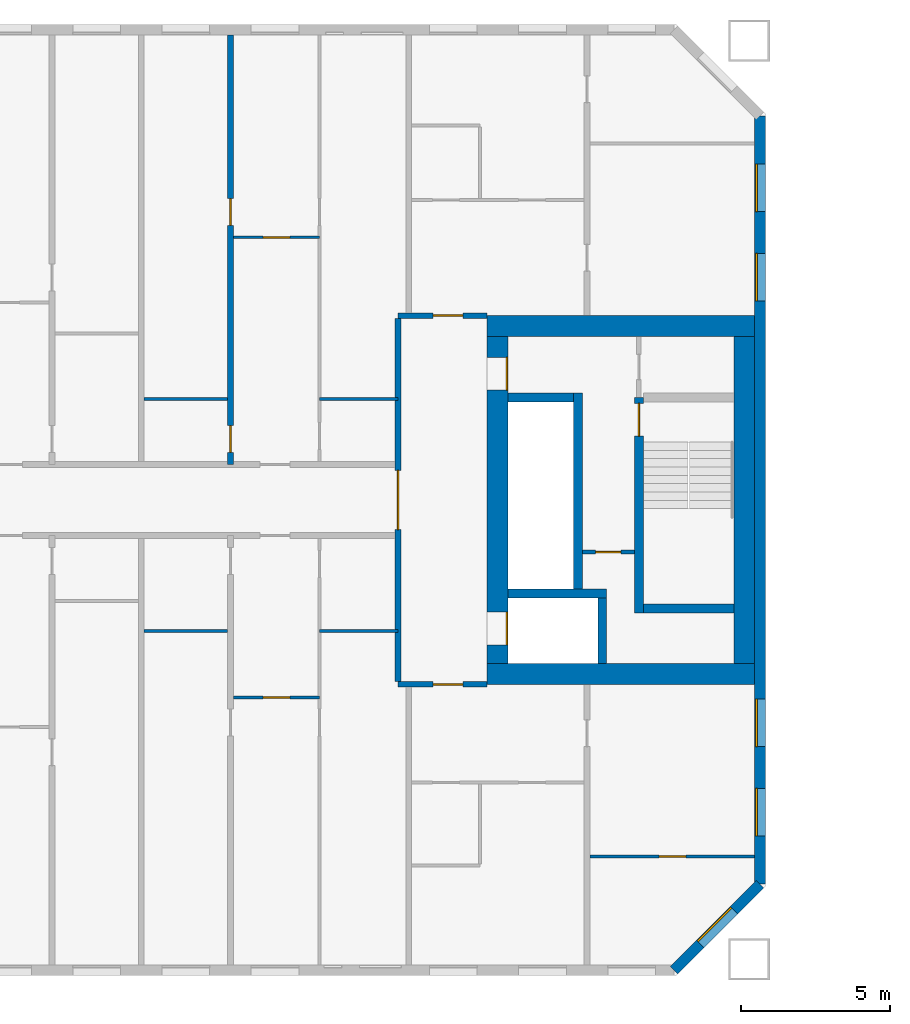
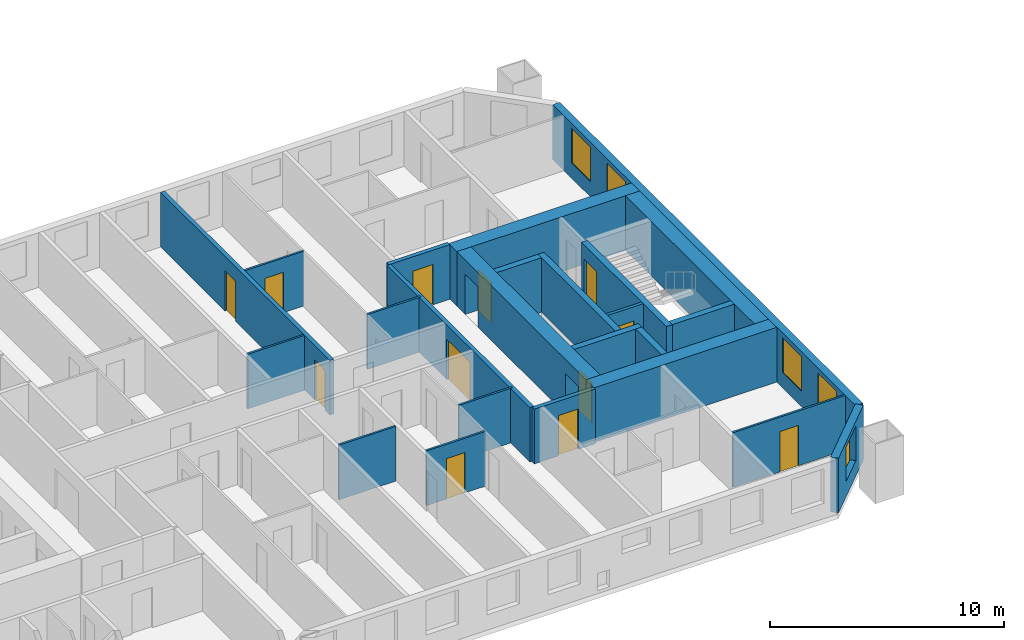
# One storey, part 7 of 17: 24 walls, 12 doors, 5 windows, 17 openings.
"""IFC4 building model written with IfcOpenShell, lengths in metres."""

from ifc_helpers import new_model, si_unit, direction, frame, frame_2d, origin, place, context, subcontext, project, spatial, rectangle, extrude, material, layer, layer_set, type_object, element, fill, save


model = new_model("IFC4")

# Units and contexts
model_context = context("Model", 3, precision=1e-05, world=origin(), true_north=direction((0.0, 1.0)))
body_context = subcontext(model_context, "Body", "Model", "MODEL_VIEW")
ifc_project = project(units=[si_unit("LENGTHUNIT", "METRE"), si_unit("AREAUNIT", "SQUARE_METRE"), si_unit("VOLUMEUNIT", "CUBIC_METRE"), si_unit("PLANEANGLEUNIT", "RADIAN"), si_unit("MASSUNIT", "GRAM", prefix="KILO")], contexts=[model_context])

# Site, building, storey
site_placement = place(None, origin())
site = spatial("IfcSite", under=ifc_project, at=site_placement, CompositionType="ELEMENT")
building_placement = place(site_placement, origin())
building = spatial("IfcBuilding", under=site, at=building_placement, Name="Tuart Gate Housing", CompositionType="ELEMENT")
storey_placement = place(building_placement, frame((0.0, 0.0, 77.800048828125)))
storey = spatial("IfcBuildingStorey", under=building, at=storey_placement, Name="L21", CompositionType="ELEMENT", Elevation=77.800048828125)

# Wall, opening, window
ifc_material_1 = material(Name="Brick", Category="masonry")
ifc_layer_1 = layer(ifc_material_1, 0.360107421875)
ifc_layer_set_1 = layer_set([ifc_layer_1], Name="Brick pier and spandrel wall 360")
wall_type_1 = type_object("IfcWallType", Name="Brick pier and spandrel wall 360", PredefinedType="STANDARD", material=ifc_layer_set_1)
wall_1_placement = place(storey_placement, frame((72.92529296875, 54.179931640625, 0.0), z_axis=(0.0, 0.0, 1.0), x_axis=(0.707106781187, 0.707106781187, 0.0)))
wall_1 = element("IfcWall", 1, at=wall_1_placement, inside=storey, type_object=wall_type_1, Name="External wall A-SE L21", PredefinedType="STANDARD", context=body_context, shape_type="SweptSolid", body=[
    extrude(rectangle(XDim=4.09375, YDim=0.360107421875, at=frame_2d((2.046875, 0.0))), origin(), (0.0, 0.0, 1.0), 2.849853515625),
])
opening_1_placement = place(wall_1_placement, frame((1.2470703125, 0.0, 0.800048828125)))
opening_1 = element("IfcOpeningElement", 2, at=opening_1_placement, cuts=wall_1, Name="Opening W1", PredefinedType="OPENING", context=body_context, shape_type="SweptSolid", body=[
    extrude(rectangle(XDim=1.60009765625, YDim=1.800048828125, at=frame_2d((0.800048828125, 0.89990234375))), frame((0.0, 0.18994140625, 0.0), z_axis=(0.0, -1.0, 0.0), x_axis=(1.0, 0.0, 0.0)), (0.0, 0.0, 1.0), 0.380126953125),
])
ifc_material_2 = material(Name="Aluminium frame with clear glass", Category="aluminium")
window_type = type_object("IfcWindowType", Name="Punched window 1600 x 1800", PartitioningType="SINGLE_PANEL", PredefinedType="WINDOW", material=ifc_material_2)
window_1_placement = place(opening_1_placement, origin())
window_1 = element("IfcWindow", 3, at=window_1_placement, inside=storey, type_object=window_type, Name="Window W1", OverallHeight=1.800048828125, OverallWidth=1.60009765625, PartitioningType="SINGLE_PANEL", PredefinedType="WINDOW", context=body_context, shape_type="SweptSolid", body=[
    extrude(rectangle(XDim=1.60009765625, YDim=1.800048828125, at=frame_2d((0.800048828125, 0.89990234375))), frame((0.0, 0.150146484375, 0.0), z_axis=(0.0, -1.0, 0.0), x_axis=(1.0, 0.0, 0.0)), (0.0, 0.0, 1.0), 0.06005859375),
])
fill(opening_1, window_1)

# Wall, openings, windows
wall_2_placement = place(storey_placement, frame((75.820068359375, 57.07470703125, 0.0), z_axis=(0.0, 0.0, 1.0), x_axis=(0.0, 1.0, 0.0)))
wall_2 = element("IfcWall", 4, at=wall_2_placement, inside=storey, type_object=wall_type_1, Name="External wall A-E L21", PredefinedType="STANDARD", context=body_context, shape_type="SweptSolid", body=[
    extrude(rectangle(XDim=25.850830078125, YDim=0.360107421875, at=frame_2d((12.92529296875, 0.0))), origin(), (0.0, 0.0, 1.0), 2.849853515625),
])
opening_2_placement = place(wall_2_placement, frame((1.62548828125, 0.0, 0.800048828125)))
opening_2 = element("IfcOpeningElement", 5, at=opening_2_placement, cuts=wall_2, Name="Opening W1", PredefinedType="OPENING", context=body_context, shape_type="SweptSolid", body=[
    extrude(rectangle(XDim=1.60009765625, YDim=1.800048828125, at=frame_2d((0.800048828125, 0.89990234375))), frame((0.0, 0.18994140625, 0.0), z_axis=(0.0, -1.0, 0.0), x_axis=(1.0, 0.0, 0.0)), (0.0, 0.0, 1.0), 0.380126953125),
])
opening_3_placement = place(wall_2_placement, frame((4.62548828125, 0.0, 0.800048828125)))
opening_3 = element("IfcOpeningElement", 6, at=opening_3_placement, cuts=wall_2, Name="Opening W1", PredefinedType="OPENING", context=body_context, shape_type="SweptSolid", body=[
    extrude(rectangle(XDim=1.60009765625, YDim=1.800048828125, at=frame_2d((0.800048828125, 0.89990234375))), frame((0.0, 0.18994140625, 0.0), z_axis=(0.0, -1.0, 0.0), x_axis=(1.0, 0.0, 0.0)), (0.0, 0.0, 1.0), 0.380126953125),
])
opening_4_placement = place(wall_2_placement, frame((19.62548828125, 0.0, 0.800048828125)))
opening_4 = element("IfcOpeningElement", 7, at=opening_4_placement, cuts=wall_2, Name="Opening W1", PredefinedType="OPENING", context=body_context, shape_type="SweptSolid", body=[
    extrude(rectangle(XDim=1.60009765625, YDim=1.800048828125, at=frame_2d((0.800048828125, 0.89990234375))), frame((0.0, 0.18994140625, 0.0), z_axis=(0.0, -1.0, 0.0), x_axis=(1.0, 0.0, 0.0)), (0.0, 0.0, 1.0), 0.380126953125),
])
opening_5_placement = place(wall_2_placement, frame((22.62548828125, 0.0, 0.800048828125)))
opening_5 = element("IfcOpeningElement", 8, at=opening_5_placement, cuts=wall_2, Name="Opening W1", PredefinedType="OPENING", context=body_context, shape_type="SweptSolid", body=[
    extrude(rectangle(XDim=1.60009765625, YDim=1.800048828125, at=frame_2d((0.800048828125, 0.89990234375))), frame((0.0, 0.18994140625, 0.0), z_axis=(0.0, -1.0, 0.0), x_axis=(1.0, 0.0, 0.0)), (0.0, 0.0, 1.0), 0.380126953125),
])
window_2_placement = place(opening_2_placement, origin())
window_2 = element("IfcWindow", 9, at=window_2_placement, inside=storey, type_object=window_type, Name="Window W1", OverallHeight=1.800048828125, OverallWidth=1.60009765625, PartitioningType="SINGLE_PANEL", PredefinedType="WINDOW", context=body_context, shape_type="SweptSolid", body=[
    extrude(rectangle(XDim=1.60009765625, YDim=1.800048828125, at=frame_2d((0.800048828125, 0.89990234375))), frame((0.0, 0.150146484375, 0.0), z_axis=(0.0, -1.0, 0.0), x_axis=(1.0, 0.0, 0.0)), (0.0, 0.0, 1.0), 0.06005859375),
])
fill(opening_2, window_2)
window_3_placement = place(opening_3_placement, origin())
window_3 = element("IfcWindow", 10, at=window_3_placement, inside=storey, type_object=window_type, Name="Window W1", OverallHeight=1.800048828125, OverallWidth=1.60009765625, PartitioningType="SINGLE_PANEL", PredefinedType="WINDOW", context=body_context, shape_type="SweptSolid", body=[
    extrude(rectangle(XDim=1.60009765625, YDim=1.800048828125, at=frame_2d((0.800048828125, 0.89990234375))), frame((0.0, 0.150146484375, 0.0), z_axis=(0.0, -1.0, 0.0), x_axis=(1.0, 0.0, 0.0)), (0.0, 0.0, 1.0), 0.06005859375),
])
fill(opening_3, window_3)
window_4_placement = place(opening_4_placement, origin())
window_4 = element("IfcWindow", 11, at=window_4_placement, inside=storey, type_object=window_type, Name="Window W1", OverallHeight=1.800048828125, OverallWidth=1.60009765625, PartitioningType="SINGLE_PANEL", PredefinedType="WINDOW", context=body_context, shape_type="SweptSolid", body=[
    extrude(rectangle(XDim=1.60009765625, YDim=1.800048828125, at=frame_2d((0.800048828125, 0.89990234375))), frame((0.0, 0.150146484375, 0.0), z_axis=(0.0, -1.0, 0.0), x_axis=(1.0, 0.0, 0.0)), (0.0, 0.0, 1.0), 0.06005859375),
])
fill(opening_4, window_4)
window_5_placement = place(opening_5_placement, origin())
window_5 = element("IfcWindow", 12, at=window_5_placement, inside=storey, type_object=window_type, Name="Window W1", OverallHeight=1.800048828125, OverallWidth=1.60009765625, PartitioningType="SINGLE_PANEL", PredefinedType="WINDOW", context=body_context, shape_type="SweptSolid", body=[
    extrude(rectangle(XDim=1.60009765625, YDim=1.800048828125, at=frame_2d((0.800048828125, 0.89990234375))), frame((0.0, 0.150146484375, 0.0), z_axis=(0.0, -1.0, 0.0), x_axis=(1.0, 0.0, 0.0)), (0.0, 0.0, 1.0), 0.06005859375),
])
fill(opening_5, window_5)

# Wall, opening, door
ifc_material_3 = material(Name="Plasterboard partition")
ifc_layer_2 = layer(ifc_material_3, 0.14990234375)
ifc_layer_set_2 = layer_set([ifc_layer_2], Name="Core partition 150")
wall_type_2 = type_object("IfcWallType", Name="Core partition 150", PredefinedType="PARTITIONING", material=ifc_layer_set_2)
wall_3_placement = place(storey_placement, frame((69.840087890625, 68.25, 0.0), z_axis=(0.0, 0.0, 1.0), x_axis=(1.0, 0.0, 0.0)))
wall_3 = element("IfcWall", 13, at=wall_3_placement, inside=storey, type_object=wall_type_2, Name="Core partition AG.3", PredefinedType="PARTITIONING", context=body_context, shape_type="SweptSolid", body=[
    extrude(rectangle(XDim=1.75, YDim=0.14990234375, at=frame_2d((0.875, 0.0))), origin(), (0.0, 0.0, 1.0), 2.849853515625),
])
opening_6_placement = place(wall_3_placement, frame((0.449951171875, 0.0, 0.0)))
opening_6 = element("IfcOpeningElement", 14, at=opening_6_placement, cuts=wall_3, Name="Opening D870", PredefinedType="OPENING", context=body_context, shape_type="SweptSolid", body=[
    extrude(rectangle(XDim=0.85009765625, YDim=2.10009765625, at=frame_2d((0.425048828125, 1.050048828125))), frame((0.0, 0.0849609375, 0.0), z_axis=(0.0, -1.0, 0.0), x_axis=(1.0, 0.0, 0.0)), (0.0, 0.0, 1.0), 0.169921875),
])
ifc_material_4 = material(Name="Steel fire door", Category="steel")
door_type_1 = type_object("IfcDoorType", Name="Riser door 850 x 2100 RH", OperationType="SINGLE_SWING_RIGHT", PredefinedType="DOOR", material=ifc_material_4)
door_1_placement = place(opening_6_placement, frame((0.85009765625, 0.0, 0.0), z_axis=(0.0, 0.0, 1.0), x_axis=(-1.0, 0.0, 0.0)))
door_1 = element("IfcDoor", 15, at=door_1_placement, inside=storey, type_object=door_type_1, Name="Service room door AG.E1", OperationType="SINGLE_SWING_RIGHT", OverallHeight=2.10009765625, OverallWidth=0.85009765625, PredefinedType="DOOR", context=body_context, shape_type="SweptSolid", body=[
    extrude(rectangle(XDim=0.85009765625, YDim=2.10009765625, at=frame_2d((0.425048828125, 1.050048828125))), frame((0.0, 0.025146484375, 0.0), z_axis=(0.0, -1.0, 0.0), x_axis=(1.0, 0.0, 0.0)), (0.0, 0.0, 1.0), 0.050048828125),
])
fill(opening_6, door_1)

# Walls
ifc_material_5 = material(Name="Concrete C50", Category="concrete")
ifc_layer_3 = layer(ifc_material_5, 0.300048828125)
ifc_layer_set_3 = layer_set([ifc_layer_3], Name="Core wall 300 C50")
wall_type_3 = type_object("IfcWallType", Name="Core wall 300 C50", PredefinedType="SHEAR", material=ifc_layer_set_3)
wall_4_placement = place(storey_placement, frame((71.889892578125, 66.35009765625, 0.0), z_axis=(0.0, 0.0, 1.0), x_axis=(1.0, 0.0, 0.0)))
element("IfcWall", 16, at=wall_4_placement, inside=storey, type_object=wall_type_3, Name="Core wall AG.1", PredefinedType="SHEAR", context=body_context, shape_type="SweptSolid", body=[
    extrude(rectangle(XDim=3.050048828125, YDim=0.300048828125, at=frame_2d((1.52490234375, 0.0))), origin(), (0.0, 0.0, 1.0), 2.849853515625),
])
wall_5_placement = place(storey_placement, frame((67.340087890625, 66.85009765625, 0.0), z_axis=(0.0, 0.0, 1.0), x_axis=(1.0, 0.0, 0.0)))
element("IfcWall", 17, at=wall_5_placement, inside=storey, type_object=wall_type_3, Name="Core wall AG.2", PredefinedType="SHEAR", context=body_context, shape_type="SweptSolid", body=[
    extrude(rectangle(XDim=3.31982421875, YDim=0.300048828125, at=frame_2d((1.659912109375, 0.0))), origin(), (0.0, 0.0, 1.0), 2.849853515625),
])
wall_6_placement = place(storey_placement, frame((67.340087890625, 73.449951171875, 0.0), z_axis=(0.0, 0.0, 1.0), x_axis=(1.0, 0.0, 0.0)))
element("IfcWall", 18, at=wall_6_placement, inside=storey, type_object=wall_type_3, Name="Core wall AG.4", PredefinedType="SHEAR", context=body_context, shape_type="SweptSolid", body=[
    extrude(rectangle(XDim=2.199951171875, YDim=0.300048828125, at=frame_2d((1.10009765625, 0.0))), origin(), (0.0, 0.0, 1.0), 2.849853515625),
])
wall_7_placement = place(storey_placement, frame((69.68994140625, 67.0, 0.0), z_axis=(0.0, 0.0, 1.0), x_axis=(0.0, 1.0, 0.0)))
element("IfcWall", 19, at=wall_7_placement, inside=storey, type_object=wall_type_3, Name="Core wall AG.6", PredefinedType="SHEAR", context=body_context, shape_type="SweptSolid", body=[
    extrude(rectangle(XDim=6.60009765625, YDim=0.300048828125, at=frame_2d((3.300048828125, 0.0))), origin(), (0.0, 0.0, 1.0), 2.849853515625),
])
wall_8_placement = place(storey_placement, frame((70.510009765625, 64.5, 0.0), z_axis=(0.0, 0.0, 1.0), x_axis=(0.0, 1.0, 0.0)))
element("IfcWall", 20, at=wall_8_placement, inside=storey, type_object=wall_type_3, Name="Core wall AG.7", PredefinedType="SHEAR", context=body_context, shape_type="SweptSolid", body=[
    extrude(rectangle(XDim=2.199951171875, YDim=0.300048828125, at=frame_2d((1.10009765625, 0.0))), origin(), (0.0, 0.0, 1.0), 2.849853515625),
])

# Wall, opening, door
wall_9_placement = place(storey_placement, frame((71.739990234375, 66.199951171875, 0.0), z_axis=(0.0, 0.0, 1.0), x_axis=(0.0, 1.0, 0.0)))
wall_9 = element("IfcWall", 21, at=wall_9_placement, inside=storey, type_object=wall_type_3, Name="Core wall AG.8", PredefinedType="SHEAR", context=body_context, shape_type="SweptSolid", body=[
    extrude(rectangle(XDim=7.25, YDim=0.300048828125, at=frame_2d((3.625, 0.0))), origin(), (0.0, 0.0, 1.0), 2.849853515625),
])
opening_7_placement = place(wall_9_placement, frame((5.949951171875, 0.0, 0.0)))
opening_7 = element("IfcOpeningElement", 22, at=opening_7_placement, cuts=wall_9, Name="Opening D867", PredefinedType="OPENING", context=body_context, shape_type="SweptSolid", body=[
    extrude(rectangle(XDim=1.10009765625, YDim=2.10009765625, at=frame_2d((0.550048828125, 1.050048828125))), frame((0.0, 0.159912109375, 0.0), z_axis=(0.0, -1.0, 0.0), x_axis=(1.0, 0.0, 0.0)), (0.0, 0.0, 1.0), 0.320068359375),
])
ifc_material_6 = material(Name="Steel fire door", Category="steel")
door_type_2 = type_object("IfcDoorType", Name="Stair door 1100 x 2100", OperationType="SINGLE_SWING_LEFT", PredefinedType="DOOR", material=ifc_material_6)
door_2_placement = place(opening_7_placement, frame((1.10009765625, 0.0, 0.0), z_axis=(0.0, 0.0, 1.0), x_axis=(-1.0, 0.0, 0.0)))
door_2 = element("IfcDoor", 23, at=door_2_placement, inside=storey, type_object=door_type_2, Name="Stair door AG.SD", OperationType="SINGLE_SWING_LEFT", OverallHeight=2.10009765625, OverallWidth=1.10009765625, PredefinedType="DOOR", context=body_context, shape_type="SweptSolid", body=[
    extrude(rectangle(XDim=1.10009765625, YDim=2.10009765625, at=frame_2d((0.550048828125, 1.050048828125))), frame((0.0, 0.025146484375, 0.0), z_axis=(0.0, -1.0, 0.0), x_axis=(1.0, 0.0, 0.0)), (0.0, 0.0, 1.0), 0.050048828125),
])
fill(opening_7, door_2)

# Wall, openings, doors
ifc_material_7 = material(Name="Concrete C50", Category="concrete")
ifc_layer_4 = layer(ifc_material_7, 0.699951171875)
ifc_layer_set_4 = layer_set([ifc_layer_4], Name="Core wall 700 C50")
wall_type_4 = type_object("IfcWallType", Name="Core wall 700 C50", PredefinedType="SHEAR", material=ifc_layer_set_4)
wall_10_placement = place(storey_placement, frame((66.989990234375, 64.5, 0.0), z_axis=(0.0, 0.0, 1.0), x_axis=(0.0, 1.0, 0.0)))
wall_10 = element("IfcWall", 24, at=wall_10_placement, inside=storey, type_object=wall_type_4, Name="Core wall AG front", PredefinedType="SHEAR", context=body_context, shape_type="SweptSolid", body=[
    extrude(rectangle(XDim=11.0, YDim=0.699951171875, at=frame_2d((5.5, 0.0))), origin(), (0.0, 0.0, 1.0), 2.849853515625),
])
opening_8_placement = place(wall_10_placement, frame((0.625, 0.0, 0.0)))
opening_8 = element("IfcOpeningElement", 25, at=opening_8_placement, cuts=wall_10, Name="Opening LD-FA1", PredefinedType="OPENING", context=body_context, shape_type="SweptSolid", body=[
    extrude(rectangle(XDim=1.10009765625, YDim=2.10009765625, at=frame_2d((0.550048828125, 1.050048828125))), frame((0.0, 0.35986328125, 0.0), z_axis=(0.0, -1.0, 0.0), x_axis=(1.0, 0.0, 0.0)), (0.0, 0.0, 1.0), 0.719970703125),
])
opening_9_placement = place(wall_10_placement, frame((9.199951171875, 0.0, 0.0)))
opening_9 = element("IfcOpeningElement", 26, at=opening_9_placement, cuts=wall_10, Name="Opening D866", PredefinedType="OPENING", context=body_context, shape_type="SweptSolid", body=[
    extrude(rectangle(XDim=1.10009765625, YDim=2.10009765625, at=frame_2d((0.550048828125, 1.050048828125))), frame((0.0, 0.35986328125, 0.0), z_axis=(0.0, -1.0, 0.0), x_axis=(1.0, 0.0, 0.0)), (0.0, 0.0, 1.0), 0.719970703125),
])
ifc_material_8 = material(Name="Stainless steel", Category="steel")
door_type_3 = type_object("IfcDoorType", Name="Landing door 1100 x 2100", OperationType="DOUBLE_DOOR_SLIDING", PredefinedType="DOOR", material=ifc_material_8)
door_3_placement = place(opening_8_placement, origin())
door_3 = element("IfcDoor", 27, at=door_3_placement, inside=storey, type_object=door_type_3, Name="Lift landing door FA1", OperationType="DOUBLE_DOOR_SLIDING", OverallHeight=2.10009765625, OverallWidth=1.10009765625, PredefinedType="DOOR", context=body_context, shape_type="SweptSolid", body=[
    extrude(rectangle(XDim=1.10009765625, YDim=2.10009765625, at=frame_2d((0.550048828125, 1.050048828125))), frame((0.0, -0.28515625, 0.0), z_axis=(0.0, -1.0, 0.0), x_axis=(1.0, 0.0, 0.0)), (0.0, 0.0, 1.0), 0.050048828125),
])
fill(opening_8, door_3)
ifc_material_9 = material(Name="Steel fire door", Category="steel")
door_type_4 = type_object("IfcDoorType", Name="Lobby door 1100 x 2100 RH", OperationType="SINGLE_SWING_RIGHT", PredefinedType="DOOR", material=ifc_material_9)
door_4_placement = place(opening_9_placement, frame((1.10009765625, 0.0, 0.0), z_axis=(0.0, 0.0, 1.0), x_axis=(-1.0, 0.0, 0.0)))
door_4 = element("IfcDoor", 28, at=door_4_placement, inside=storey, type_object=door_type_4, Name="Lobby entry door AG.EN", OperationType="SINGLE_SWING_RIGHT", OverallHeight=2.10009765625, OverallWidth=1.10009765625, PredefinedType="DOOR", context=body_context, shape_type="SweptSolid", body=[
    extrude(rectangle(XDim=1.10009765625, YDim=2.10009765625, at=frame_2d((0.550048828125, 1.050048828125))), frame((0.0, 0.335205078125, 0.0), z_axis=(0.0, -1.0, 0.0), x_axis=(1.0, 0.0, 0.0)), (0.0, 0.0, 1.0), 0.050048828125),
])
fill(opening_9, door_4)

# Walls
wall_11_placement = place(storey_placement, frame((75.2900390625, 64.5, 0.0), z_axis=(0.0, 0.0, 1.0), x_axis=(0.0, 1.0, 0.0)))
element("IfcWall", 29, at=wall_11_placement, inside=storey, type_object=wall_type_4, Name="Core wall AG back", PredefinedType="SHEAR", context=body_context, shape_type="SweptSolid", body=[
    extrude(rectangle(XDim=11.0, YDim=0.699951171875, at=frame_2d((5.5, 0.0))), origin(), (0.0, 0.0, 1.0), 2.849853515625),
])
for number, where, z_axis, x_axis, name in (
    (30, (66.639892578125, 64.14990234375, 0.0), (0.0, 0.0, 1.0), (1.0, 0.0, 0.0), "Core wall AG south"),
    (31, (66.639892578125, 75.85009765625, 0.0), (0.0, 0.0, 1.0), (1.0, 0.0, 0.0), "Core wall AG north"),
):
    element("IfcWall", number, at=place(storey_placement, frame(where, z_axis=z_axis, x_axis=x_axis)), inside=storey, type_object=wall_type_4, Name=name, PredefinedType="SHEAR", context=body_context, shape_type="SweptSolid", body=[
        extrude(rectangle(XDim=9.0, YDim=0.699951171875, at=frame_2d((4.5, 0.0))), origin(), (0.0, 0.0, 1.0), 2.849853515625),
    ])

# Wall, opening, door
ifc_material_10 = material(Name="Concrete masonry 15 MPa", Category="masonry")
ifc_layer_5 = layer(ifc_material_10, 0.199951171875)
ifc_layer_set_5 = layer_set([ifc_layer_5], Name="Enclosure wall masonry 200")
wall_type_5 = type_object("IfcWallType", Name="Enclosure wall masonry 200", PredefinedType="PARTITIONING", material=ifc_layer_set_5)
wall_12_placement = place(storey_placement, frame((63.639892578125, 63.800048828125, 0.0), z_axis=(0.0, 0.0, 1.0), x_axis=(1.0, 0.0, 0.0)))
wall_12 = element("IfcWall", 32, at=wall_12_placement, inside=storey, type_object=wall_type_5, Name="Enclosure wall masonry 200", PredefinedType="PARTITIONING", context=body_context, shape_type="SweptSolid", body=[
    extrude(rectangle(XDim=3.0, YDim=0.199951171875, at=frame_2d((1.5, 0.0))), origin(), (0.0, 0.0, 1.0), 2.849853515625),
])
opening_10_placement = place(wall_12_placement, frame((1.179931640625, 0.0, 0.0)))
opening_10 = element("IfcOpeningElement", 33, at=opening_10_placement, cuts=wall_12, Name="Opening D874", PredefinedType="OPENING", context=body_context, shape_type="SweptSolid", body=[
    extrude(rectangle(XDim=1.0, YDim=2.10009765625, at=frame_2d((0.5, 1.050048828125))), frame((0.0, 0.10986328125, 0.0), z_axis=(0.0, -1.0, 0.0), x_axis=(1.0, 0.0, 0.0)), (0.0, 0.0, 1.0), 0.219970703125),
])
ifc_material_11 = material(Name="Timber door leaf in steel frame", Category="steel")
door_type_5 = type_object("IfcDoorType", Name="Flat entrance door 1000 RH", OperationType="SINGLE_SWING_RIGHT", PredefinedType="DOOR", material=ifc_material_11)
door_5_placement = place(opening_10_placement, frame((1.0, 0.0, 0.0), z_axis=(0.0, 0.0, 1.0), x_axis=(-1.0, 0.0, 0.0)))
door_5 = element("IfcDoor", 34, at=door_5_placement, inside=storey, type_object=door_type_5, Name="Flat entrance door", OperationType="SINGLE_SWING_RIGHT", OverallHeight=2.10009765625, OverallWidth=1.0, PredefinedType="DOOR", context=body_context, shape_type="SweptSolid", body=[
    extrude(rectangle(XDim=1.0, YDim=2.10009765625, at=frame_2d((0.5, 1.050048828125))), frame((0.0, 0.025146484375, 0.0), z_axis=(0.0, -1.0, 0.0), x_axis=(1.0, 0.0, 0.0)), (0.0, 0.0, 1.0), 0.050048828125),
])
fill(opening_10, door_5)

wall_13_placement = place(storey_placement, frame((63.639892578125, 76.199951171875, 0.0), z_axis=(0.0, 0.0, 1.0), x_axis=(1.0, 0.0, 0.0)))
wall_13 = element("IfcWall", 35, at=wall_13_placement, inside=storey, type_object=wall_type_5, Name="Enclosure wall masonry 200", PredefinedType="PARTITIONING", context=body_context, shape_type="SweptSolid", body=[
    extrude(rectangle(XDim=3.0, YDim=0.199951171875, at=frame_2d((1.5, 0.0))), origin(), (0.0, 0.0, 1.0), 2.849853515625),
])
opening_11_placement = place(wall_13_placement, frame((1.179931640625, 0.0, 0.0)))
opening_11 = element("IfcOpeningElement", 36, at=opening_11_placement, cuts=wall_13, Name="Opening D856", PredefinedType="OPENING", context=body_context, shape_type="SweptSolid", body=[
    extrude(rectangle(XDim=1.0, YDim=2.10009765625, at=frame_2d((0.5, 1.050048828125))), frame((0.0, 0.10986328125, 0.0), z_axis=(0.0, -1.0, 0.0), x_axis=(1.0, 0.0, 0.0)), (0.0, 0.0, 1.0), 0.219970703125),
])
ifc_material_12 = material(Name="Timber door leaf in steel frame", Category="steel")
door_type_6 = type_object("IfcDoorType", Name="Flat entrance door 1000", OperationType="SINGLE_SWING_LEFT", PredefinedType="DOOR", material=ifc_material_12)
door_6_placement = place(opening_11_placement, origin())
door_6 = element("IfcDoor", 37, at=door_6_placement, inside=storey, type_object=door_type_6, Name="Flat entrance door", OperationType="SINGLE_SWING_LEFT", OverallHeight=2.10009765625, OverallWidth=1.0, PredefinedType="DOOR", context=body_context, shape_type="SweptSolid", body=[
    extrude(rectangle(XDim=1.0, YDim=2.10009765625, at=frame_2d((0.5, 1.050048828125))), frame((0.0, 0.02490234375, 0.0), z_axis=(0.0, -1.0, 0.0), x_axis=(1.0, 0.0, 0.0)), (0.0, 0.0, 1.0), 0.050048828125),
])
fill(opening_11, door_6)

ifc_material_13 = material(Name="Plasterboard partition")
ifc_layer_6 = layer(ifc_material_13, 0.199951171875)
ifc_layer_set_6 = layer_set([ifc_layer_6], Name="Lobby wall 200")
wall_type_6 = type_object("IfcWallType", Name="Lobby wall 200", PredefinedType="PARTITIONING", material=ifc_layer_set_6)
wall_14_placement = place(storey_placement, frame((63.639892578125, 63.89990234375, 0.0), z_axis=(0.0, 0.0, 1.0), x_axis=(0.0, 1.0, 0.0)))
wall_14 = element("IfcWall", 38, at=wall_14_placement, inside=storey, type_object=wall_type_6, Name="Lift lobby wall AG", PredefinedType="PARTITIONING", context=body_context, shape_type="SweptSolid", body=[
    extrude(rectangle(XDim=12.2001953125, YDim=0.199951171875, at=frame_2d((6.10009765625, 0.0))), origin(), (0.0, 0.0, 1.0), 2.849853515625),
])
opening_12_placement = place(wall_14_placement, frame((5.10009765625, 0.0, 0.0)))
opening_12 = element("IfcOpeningElement", 39, at=opening_12_placement, cuts=wall_14, Name="Opening D865", PredefinedType="OPENING", context=body_context, shape_type="SweptSolid", body=[
    extrude(rectangle(XDim=2.0, YDim=2.10009765625, at=frame_2d((1.0, 1.050048828125))), frame((0.0, 0.10986328125, 0.0), z_axis=(0.0, -1.0, 0.0), x_axis=(1.0, 0.0, 0.0)), (0.0, 0.0, 1.0), 0.219970703125),
])
ifc_material_14 = material(Name="Steel fire door", Category="steel")
door_type_7 = type_object("IfcDoorType", Name="Smoke door 2000 x 2100", OperationType="DOUBLE_DOOR_SINGLE_SWING", PredefinedType="DOOR", material=ifc_material_14)
door_7_placement = place(opening_12_placement, frame((2.0, 0.0, 0.0), z_axis=(0.0, 0.0, 1.0), x_axis=(-1.0, 0.0, 0.0)))
door_7 = element("IfcDoor", 40, at=door_7_placement, inside=storey, type_object=door_type_7, Name="Lift lobby smoke door AG", OperationType="DOUBLE_DOOR_SINGLE_SWING", OverallHeight=2.10009765625, OverallWidth=2.0, PredefinedType="DOOR", context=body_context, shape_type="SweptSolid", body=[
    extrude(rectangle(XDim=2.0, YDim=2.10009765625, at=frame_2d((1.0, 1.050048828125))), frame((0.0, 0.025146484375, 0.0), z_axis=(0.0, -1.0, 0.0), x_axis=(1.0, 0.0, 0.0)), (0.0, 0.0, 1.0), 0.050048828125),
])
fill(opening_12, door_7)

ifc_material_15 = material(Name="Gypsum board on steel studs", Category="steel")
ifc_layer_7 = layer(ifc_material_15, 0.10009765625)
ifc_layer_set_7 = layer_set([ifc_layer_7], Name="Partition 100")
wall_type_7 = type_object("IfcWallType", Name="Partition 100", PredefinedType="PARTITIONING", material=ifc_layer_set_7)
wall_15_placement = place(storey_placement, frame((70.10009765625, 58.0, 0.0), z_axis=(0.0, 0.0, 1.0), x_axis=(1.0, 0.0, 0.0)))
wall_15 = element("IfcWall", 41, at=wall_15_placement, inside=storey, type_object=wall_type_7, Name="Partition 100", PredefinedType="PARTITIONING", context=body_context, shape_type="SweptSolid", body=[
    extrude(rectangle(XDim=5.539794921875, YDim=0.10009765625, at=frame_2d((2.77001953125, 0.0))), origin(), (0.0, 0.0, 1.0), 2.849853515625),
])
opening_13_placement = place(wall_15_placement, frame((2.320068359375, 0.0, 0.0)))
opening_13 = element("IfcOpeningElement", 42, at=opening_13_placement, cuts=wall_15, Name="Opening D890", PredefinedType="OPENING", context=body_context, shape_type="SweptSolid", body=[
    extrude(rectangle(XDim=0.89990234375, YDim=2.10009765625, at=frame_2d((0.449951171875, 1.050048828125))), frame((0.0, 0.06005859375, 0.0), z_axis=(0.0, -1.0, 0.0), x_axis=(1.0, 0.0, 0.0)), (0.0, 0.0, 1.0), 0.1201171875),
])
ifc_material_16 = material(Name="Timber door leaf in steel frame", Category="steel")
door_type_8 = type_object("IfcDoorType", Name="Internal door 900", OperationType="SINGLE_SWING_LEFT", PredefinedType="DOOR", material=ifc_material_16)
door_8_placement = place(opening_13_placement, frame((0.89990234375, 0.0, 0.0), z_axis=(0.0, 0.0, 1.0), x_axis=(-1.0, 0.0, 0.0)))
door_8 = element("IfcDoor", 43, at=door_8_placement, inside=storey, type_object=door_type_8, Name="Internal door", OperationType="SINGLE_SWING_LEFT", OverallHeight=2.10009765625, OverallWidth=0.89990234375, PredefinedType="DOOR", context=body_context, shape_type="SweptSolid", body=[
    extrude(rectangle(XDim=0.89990234375, YDim=2.10009765625, at=frame_2d((0.449951171875, 1.050048828125))), frame((0.0, 0.025146484375, 0.0), z_axis=(0.0, -1.0, 0.0), x_axis=(1.0, 0.0, 0.0)), (0.0, 0.0, 1.0), 0.050048828125),
])
fill(opening_13, door_8)

wall_16_placement = place(storey_placement, frame((58.10009765625, 63.360107421875, 0.0), z_axis=(0.0, 0.0, 1.0), x_axis=(1.0, 0.0, 0.0)))
wall_16 = element("IfcWall", 44, at=wall_16_placement, inside=storey, type_object=wall_type_7, Name="Partition 100", PredefinedType="PARTITIONING", context=body_context, shape_type="SweptSolid", body=[
    extrude(rectangle(XDim=2.89990234375, YDim=0.10009765625, at=frame_2d((1.449951171875, 0.0))), origin(), (0.0, 0.0, 1.0), 2.849853515625),
])
opening_14_placement = place(wall_16_placement, frame((1.0, 0.0, 0.0)))
opening_14 = element("IfcOpeningElement", 45, at=opening_14_placement, cuts=wall_16, Name="Opening D875", PredefinedType="OPENING", context=body_context, shape_type="SweptSolid", body=[
    extrude(rectangle(XDim=0.89990234375, YDim=2.10009765625, at=frame_2d((0.449951171875, 1.050048828125))), frame((0.0, 0.06005859375, 0.0), z_axis=(0.0, -1.0, 0.0), x_axis=(1.0, 0.0, 0.0)), (0.0, 0.0, 1.0), 0.1201171875),
])
ifc_material_17 = material(Name="Timber door leaf in steel frame", Category="steel")
door_type_9 = type_object("IfcDoorType", Name="Internal door 900 RH", OperationType="SINGLE_SWING_RIGHT", PredefinedType="DOOR", material=ifc_material_17)
door_9_placement = place(opening_14_placement, origin())
door_9 = element("IfcDoor", 46, at=door_9_placement, inside=storey, type_object=door_type_9, Name="Internal door", OperationType="SINGLE_SWING_RIGHT", OverallHeight=2.10009765625, OverallWidth=0.89990234375, PredefinedType="DOOR", context=body_context, shape_type="SweptSolid", body=[
    extrude(rectangle(XDim=0.89990234375, YDim=2.10009765625, at=frame_2d((0.449951171875, 1.050048828125))), frame((0.0, 0.02490234375, 0.0), z_axis=(0.0, -1.0, 0.0), x_axis=(1.0, 0.0, 0.0)), (0.0, 0.0, 1.0), 0.050048828125),
])
fill(opening_14, door_9)

# Walls
wall_17_placement = place(storey_placement, frame((55.10009765625, 65.60009765625, 0.0), z_axis=(0.0, 0.0, 1.0), x_axis=(1.0, 0.0, 0.0)))
element("IfcWall", 47, at=wall_17_placement, inside=storey, type_object=wall_type_7, Name="Partition 100", PredefinedType="PARTITIONING", context=body_context, shape_type="SweptSolid", body=[
    extrude(rectangle(XDim=2.7998046875, YDim=0.10009765625, at=frame_2d((1.39990234375, 0.0))), origin(), (0.0, 0.0, 1.0), 2.849853515625),
])
wall_18_placement = place(storey_placement, frame((61.0, 65.60009765625, 0.0), z_axis=(0.0, 0.0, 1.0), x_axis=(1.0, 0.0, 0.0)))
element("IfcWall", 48, at=wall_18_placement, inside=storey, type_object=wall_type_7, Name="Partition 100", PredefinedType="PARTITIONING", context=body_context, shape_type="SweptSolid", body=[
    extrude(rectangle(XDim=2.639892578125, YDim=0.10009765625, at=frame_2d((1.31982421875, 0.0))), origin(), (0.0, 0.0, 1.0), 2.849853515625),
])
wall_19_placement = place(storey_placement, frame((55.10009765625, 73.39990234375, 0.0), z_axis=(0.0, 0.0, 1.0), x_axis=(1.0, 0.0, 0.0)))
element("IfcWall", 49, at=wall_19_placement, inside=storey, type_object=wall_type_7, Name="Partition 100", PredefinedType="PARTITIONING", context=body_context, shape_type="SweptSolid", body=[
    extrude(rectangle(XDim=2.7998046875, YDim=0.10009765625, at=frame_2d((1.39990234375, 0.0))), origin(), (0.0, 0.0, 1.0), 2.849853515625),
])
wall_20_placement = place(storey_placement, frame((61.0, 73.39990234375, 0.0), z_axis=(0.0, 0.0, 1.0), x_axis=(1.0, 0.0, 0.0)))
element("IfcWall", 50, at=wall_20_placement, inside=storey, type_object=wall_type_7, Name="Partition 100", PredefinedType="PARTITIONING", context=body_context, shape_type="SweptSolid", body=[
    extrude(rectangle(XDim=2.639892578125, YDim=0.10009765625, at=frame_2d((1.31982421875, 0.0))), origin(), (0.0, 0.0, 1.0), 2.849853515625),
])

# Wall, opening, door
wall_21_placement = place(storey_placement, frame((58.10009765625, 78.840087890625, 0.0), z_axis=(0.0, 0.0, 1.0), x_axis=(1.0, 0.0, 0.0)))
wall_21 = element("IfcWall", 51, at=wall_21_placement, inside=storey, type_object=wall_type_7, Name="Partition 100", PredefinedType="PARTITIONING", context=body_context, shape_type="SweptSolid", body=[
    extrude(rectangle(XDim=2.89990234375, YDim=0.10009765625, at=frame_2d((1.449951171875, 0.0))), origin(), (0.0, 0.0, 1.0), 2.849853515625),
])
opening_15_placement = place(wall_21_placement, frame((1.0, 0.0, 0.0)))
opening_15 = element("IfcOpeningElement", 52, at=opening_15_placement, cuts=wall_21, Name="Opening D842", PredefinedType="OPENING", context=body_context, shape_type="SweptSolid", body=[
    extrude(rectangle(XDim=0.89990234375, YDim=2.10009765625, at=frame_2d((0.449951171875, 1.050048828125))), frame((0.0, 0.06005859375, 0.0), z_axis=(0.0, -1.0, 0.0), x_axis=(1.0, 0.0, 0.0)), (0.0, 0.0, 1.0), 0.1201171875),
])
door_10_placement = place(opening_15_placement, frame((0.89990234375, 0.0, 0.0), z_axis=(0.0, 0.0, 1.0), x_axis=(-1.0, 0.0, 0.0)))
door_10 = element("IfcDoor", 53, at=door_10_placement, inside=storey, type_object=door_type_8, Name="Internal door", OperationType="SINGLE_SWING_LEFT", OverallHeight=2.10009765625, OverallWidth=0.89990234375, PredefinedType="DOOR", context=body_context, shape_type="SweptSolid", body=[
    extrude(rectangle(XDim=0.89990234375, YDim=2.10009765625, at=frame_2d((0.449951171875, 1.050048828125))), frame((0.0, 0.025146484375, 0.0), z_axis=(0.0, -1.0, 0.0), x_axis=(1.0, 0.0, 0.0)), (0.0, 0.0, 1.0), 0.050048828125),
])
fill(opening_15, door_10)

# Wall, openings, doors
ifc_material_18 = material(Name="Concrete C40", Category="concrete")
ifc_layer_8 = layer(ifc_material_18, 0.199951171875)
ifc_layer_set_8 = layer_set([ifc_layer_8], Name="Party wall concrete C40 200")
wall_type_8 = type_object("IfcWallType", Name="Party wall concrete C40 200", PredefinedType="SOLIDWALL", material=ifc_layer_set_8)
wall_22_placement = place(storey_placement, frame((58.0, 71.199951171875, 0.0), z_axis=(0.0, 0.0, 1.0), x_axis=(0.0, 1.0, 0.0)))
wall_22 = element("IfcWall", 54, at=wall_22_placement, inside=storey, type_object=wall_type_8, Name="Party wall concrete C40 200", PredefinedType="SOLIDWALL", context=body_context, shape_type="SweptSolid", body=[
    extrude(rectangle(XDim=14.43994140625, YDim=0.199951171875, at=frame_2d((7.219970703125, 0.0))), origin(), (0.0, 0.0, 1.0), 2.849853515625),
])
opening_16_placement = place(wall_22_placement, frame((8.0400390625, 0.0, 0.0)))
opening_16 = element("IfcOpeningElement", 55, at=opening_16_placement, cuts=wall_22, Name="Opening D852", PredefinedType="OPENING", context=body_context, shape_type="SweptSolid", body=[
    extrude(rectangle(XDim=0.89990234375, YDim=2.10009765625, at=frame_2d((0.449951171875, 1.050048828125))), frame((0.0, 0.10986328125, 0.0), z_axis=(0.0, -1.0, 0.0), x_axis=(1.0, 0.0, 0.0)), (0.0, 0.0, 1.0), 0.219970703125),
])
opening_17_placement = place(wall_22_placement, frame((0.39990234375, 0.0, 0.0)))
opening_17 = element("IfcOpeningElement", 56, at=opening_17_placement, cuts=wall_22, Name="Opening D851", PredefinedType="OPENING", context=body_context, shape_type="SweptSolid", body=[
    extrude(rectangle(XDim=0.89990234375, YDim=2.10009765625, at=frame_2d((0.449951171875, 1.050048828125))), frame((0.0, 0.10986328125, 0.0), z_axis=(0.0, -1.0, 0.0), x_axis=(1.0, 0.0, 0.0)), (0.0, 0.0, 1.0), 0.219970703125),
])
ifc_material_19 = material(Name="Timber door leaf in steel frame", Category="steel")
door_type_10 = type_object("IfcDoorType", Name="Bathroom door 900", OperationType="SINGLE_SWING_LEFT", PredefinedType="DOOR", material=ifc_material_19)
door_11_placement = place(opening_17_placement, origin())
door_11 = element("IfcDoor", 57, at=door_11_placement, inside=storey, type_object=door_type_10, Name="Bathroom door", OperationType="SINGLE_SWING_LEFT", OverallHeight=2.10009765625, OverallWidth=0.89990234375, PredefinedType="DOOR", context=body_context, shape_type="SweptSolid", body=[
    extrude(rectangle(XDim=0.89990234375, YDim=2.10009765625, at=frame_2d((0.449951171875, 1.050048828125))), frame((0.0, 0.02490234375, 0.0), z_axis=(0.0, -1.0, 0.0), x_axis=(1.0, 0.0, 0.0)), (0.0, 0.0, 1.0), 0.050048828125),
])
fill(opening_17, door_11)
door_12_placement = place(opening_16_placement, origin())
door_12 = element("IfcDoor", 58, at=door_12_placement, inside=storey, type_object=door_type_9, Name="Internal door", OperationType="SINGLE_SWING_RIGHT", OverallHeight=2.10009765625, OverallWidth=0.89990234375, PredefinedType="DOOR", context=body_context, shape_type="SweptSolid", body=[
    extrude(rectangle(XDim=0.89990234375, YDim=2.10009765625, at=frame_2d((0.449951171875, 1.050048828125))), frame((0.0, 0.02490234375, 0.0), z_axis=(0.0, -1.0, 0.0), x_axis=(1.0, 0.0, 0.0)), (0.0, 0.0, 1.0), 0.050048828125),
])
fill(opening_16, door_12)

save(model, "model.ifc")
